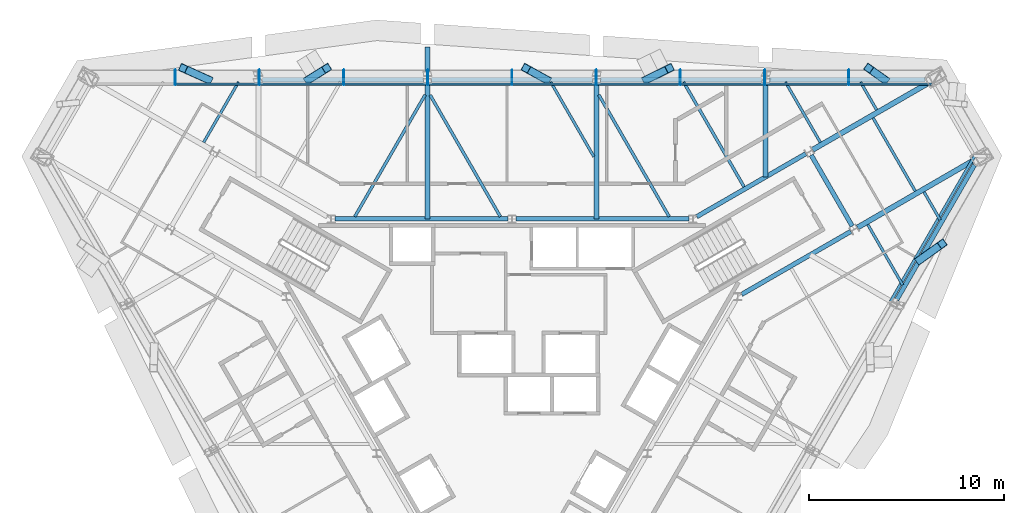
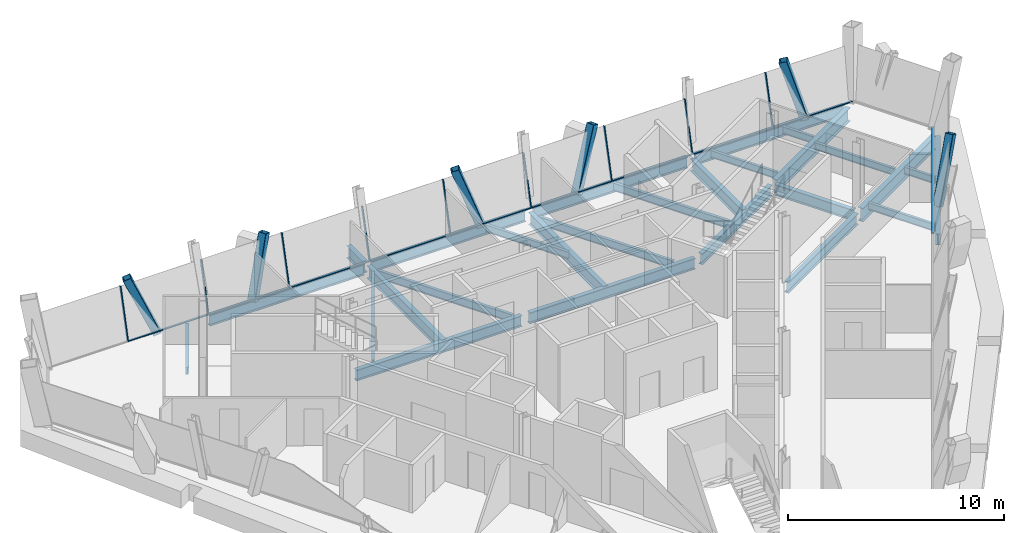
# One storey, part 4 of 10: 27 beams, 25 members, 2 elements without a shape of their own.
"""IFC4 building model written with IfcOpenShell, lengths in metres."""

from ifc_helpers import new_model, si_unit, direction, frame, origin, origin_2d, place, context, subcontext, project, spatial, rectangle, hollow_rectangle, i_section, extrude, material, material_profile, profile_set, type_object, element, aggregate, save


model = new_model("IFC4")

# Units and contexts
model_context = context("Model", 3, precision=1e-05, world=origin(), true_north=direction((0.0, 1.0)))
body_context = subcontext(model_context, "Body", "Model", "MODEL_VIEW")
ifc_project = project(units=[si_unit("LENGTHUNIT", "METRE"), si_unit("AREAUNIT", "SQUARE_METRE"), si_unit("VOLUMEUNIT", "CUBIC_METRE"), si_unit("PLANEANGLEUNIT", "RADIAN"), si_unit("MASSUNIT", "GRAM", prefix="KILO")], contexts=[model_context])

# Site, building, storey
site_placement = place(None, origin())
site = spatial("IfcSite", under=ifc_project, at=site_placement, CompositionType="ELEMENT")
building_placement = place(site_placement, origin())
building = spatial("IfcBuilding", under=site, at=building_placement, Name="Verrane Prism Tower", CompositionType="ELEMENT")
storey_placement = place(building_placement, frame((0.0, 0.0, 213.800048828125)))
storey = spatial("IfcBuildingStorey", under=building, at=storey_placement, Name="L53", CompositionType="ELEMENT", Elevation=213.800048828125)

# Beams
ifc_material_1 = material(Name="Steel A992", Category="steel")
ifc_material_profile_1 = material_profile(ifc_material_1, i_section(OverallWidth=0.23046875, OverallDepth=0.6171875, WebThickness=0.01318359375, FlangeThickness=0.022216796875, FilletRadius=0.012939453125, at=origin_2d()), Name="W24x94")
ifc_profile_set_1 = profile_set([ifc_material_profile_1], Name="Steel A992")
beam_type_1 = type_object("IfcBeamType", Name="Core ring girder W24x94", PredefinedType="BEAM", material=ifc_profile_set_1)
beam_1_placement = place(storey_placement, frame((11.759521484375, 4.135009765625, -0.55859375), z_axis=(0.866080992722, 0.499903704773, 0.0), x_axis=(-0.499903704773, 0.866080992722, 0.0)))
element("IfcBeam", 1, at=beam_1_placement, inside=storey, type_object=beam_type_1, Name="Core ring girder L53", PredefinedType="BEAM", context=body_context, shape_type="SweptSolid", body=[
    extrude(i_section(OverallWidth=0.23046875, OverallDepth=0.6171875, WebThickness=0.01318359375, FlangeThickness=0.022216796875, FilletRadius=0.012939453125, at=origin_2d()), origin(), (0.0, 0.0, 1.0), 6.451904296875),
])
beam_2_placement = place(storey_placement, frame((17.419677734375, 7.6337890625, -0.55859375), z_axis=(-0.500375511519, 0.865808493532, 0.0), x_axis=(-0.865808493532, -0.500375511519, 0.0)))
element("IfcBeam", 2, at=beam_2_placement, inside=storey, type_object=beam_type_1, Name="Core ring girder L53", PredefinedType="BEAM", context=body_context, shape_type="SweptSolid", body=[
    extrude(i_section(OverallWidth=0.23046875, OverallDepth=0.6171875, WebThickness=0.01318359375, FlangeThickness=0.022216796875, FilletRadius=0.012939453125, at=origin_2d()), origin(), (0.0, 0.0, 1.0), 4.195556640625),
])
beam_3_placement = place(storey_placement, frame((15.04736328125, 11.34033203125, -0.55859375), z_axis=(-0.866080992722, -0.499903704773, 0.0), x_axis=(0.499903704773, -0.866080992722, 0.0)))
element("IfcBeam", 3, at=beam_3_placement, inside=storey, type_object=beam_type_1, Name="Core ring girder L53", PredefinedType="BEAM", context=body_context, shape_type="SweptSolid", body=[
    extrude(i_section(OverallWidth=0.23046875, OverallDepth=0.6171875, WebThickness=0.01318359375, FlangeThickness=0.022216796875, FilletRadius=0.012939453125, at=origin_2d()), origin(), (0.0, 0.0, 1.0), 6.451904296875),
])
for number, where, z_axis, x_axis, name in (
    (4, (9.060546875, 8.0, -0.55859375), (-1.0, 0.0, 0.0), (0.0, -1.0, 0.0), "Core ring girder L53"),
    (5, (-0.199462890625, 8.0, -0.55859375), (-1.0, 0.0, 0.0), (0.0, -1.0, 0.0), "Core ring girder L53"),
):
    element("IfcBeam", number, at=place(storey_placement, frame(where, z_axis=z_axis, x_axis=x_axis)), inside=storey, type_object=beam_type_1, Name=name, PredefinedType="BEAM", context=body_context, shape_type="SweptSolid", body=[
        extrude(i_section(OverallWidth=0.23046875, OverallDepth=0.6171875, WebThickness=0.01318359375, FlangeThickness=0.022216796875, FilletRadius=0.012939453125, at=origin_2d()), origin(), (0.0, 0.0, 1.0), 8.861083984375),
    ])
ifc_material_2 = material(Name="Steel A992", Category="steel")
ifc_material_profile_2 = material_profile(ifc_material_2, i_section(OverallWidth=0.2666015625, OverallDepth=0.76708984375, WebThickness=0.014892578125, FlangeThickness=0.023681640625, FilletRadius=0.0166015625, at=origin_2d()), Name="W30x124")
ifc_profile_set_2 = profile_set([ifc_material_profile_2], Name="Steel A992")
beam_type_2 = type_object("IfcBeamType", Name="Corner girder W30x124", PredefinedType="BEAM", material=ifc_profile_set_2)
beam_4_placement = place(storey_placement, frame((23.563720703125, 10.959716796875, -0.603515625), z_axis=(-0.865372078644, -0.501129888855, 0.0), x_axis=(0.501129888855, -0.865372078644, 0.0)))
element("IfcBeam", 6, at=beam_4_placement, inside=storey, type_object=beam_type_2, Name="Corner girder L53", PredefinedType="BEAM", context=body_context, shape_type="SweptSolid", body=[
    extrude(i_section(OverallWidth=0.2666015625, OverallDepth=0.76708984375, WebThickness=0.014892578125, FlangeThickness=0.023681640625, FilletRadius=0.0166015625, at=origin_2d()), origin(), (0.0, 0.0, 1.0), 6.784423828125),
])
beam_5_placement = place(storey_placement, frame((21.2734375, 14.93017578125, -0.603515625), z_axis=(-0.866324462832, -0.499481656419, 0.0), x_axis=(0.499481656419, -0.866324462832, 0.0)))
element("IfcBeam", 7, at=beam_5_placement, inside=storey, type_object=beam_type_2, Name="Corner girder L53", PredefinedType="BEAM", context=body_context, shape_type="SweptSolid", body=[
    extrude(i_section(OverallWidth=0.2666015625, OverallDepth=0.76708984375, WebThickness=0.014892578125, FlangeThickness=0.023681640625, FilletRadius=0.0166015625, at=origin_2d()), origin(), (0.0, 0.0, 1.0), 6.788330078125),
])

# Members
ifc_material_3 = material(Name="Steel A500 Grade C", Category="steel")
ifc_material_profile_3 = material_profile(ifc_material_3, hollow_rectangle(XDim=0.406494140625, YDim=0.406494140625, WallThickness=0.01904296875, InnerFilletRadius=0.009521484375, OuterFilletRadius=0.028564453125, at=origin_2d()), Name="HSS16x16x3/4")
ifc_profile_set_3 = profile_set([ifc_material_profile_3], Name="Steel A500 Grade C")
member_type_1 = type_object("IfcMemberType", Name="Facade brace HSS16x16x3/4", PredefinedType="BRACE", material=ifc_profile_set_3)
member_1_placement = place(storey_placement, frame((19.083984375, 15.1298828125, -0.216796875), z_axis=(-0.245049870141, 0.174463269616, 0.953683977373), x_axis=(-0.579977600998, -0.814632421611, 0.0)))
element("IfcMember", 8, at=member_1_placement, inside=storey, type_object=member_type_1, Name="Facade brace N0 L53", PredefinedType="BRACE", context=body_context, shape_type="SweptSolid", body=[
    extrude(hollow_rectangle(XDim=0.406494140625, YDim=0.406494140625, WallThickness=0.01904296875, InnerFilletRadius=0.009521484375, OuterFilletRadius=0.028564453125, at=origin_2d()), origin(), (0.0, 0.0, 1.0), 3.3515625),
])
member_2_placement = place(storey_placement, frame((6.884521484375, 15.1298828125, -0.216796875), z_axis=(0.341822132388, 0.169110515817, 0.924423746585), x_axis=(-0.443432562368, 0.896307738799, 0.0)))
element("IfcMember", 9, at=member_2_placement, inside=storey, type_object=member_type_1, Name="Facade brace N1 L53", PredefinedType="BRACE", context=body_context, shape_type="SweptSolid", body=[
    extrude(hollow_rectangle(XDim=0.406494140625, YDim=0.406494140625, WallThickness=0.01904296875, InnerFilletRadius=0.009521484375, OuterFilletRadius=0.028564453125, at=origin_2d()), origin(), (0.0, 0.0, 1.0), 3.45751953125),
])
member_3_placement = place(storey_placement, frame((1.76806640625, 15.1298828125, -0.216796875), z_axis=(-0.309311568454, 0.171125249815, 0.935437064958), x_axis=(-0.484097606729, -0.875014003979, 0.0)))
element("IfcMember", 10, at=member_3_placement, inside=storey, type_object=member_type_1, Name="Facade brace N2 L53", PredefinedType="BRACE", context=body_context, shape_type="SweptSolid", body=[
    extrude(hollow_rectangle(XDim=0.406494140625, YDim=0.406494140625, WallThickness=0.01904296875, InnerFilletRadius=0.009521484375, OuterFilletRadius=0.028564453125, at=origin_2d()), origin(), (0.0, 0.0, 1.0), 3.4169921875),
])
member_4_placement = place(storey_placement, frame((-10.4248046875, 15.1298828125, -0.216796875), z_axis=(0.276946658231, 0.172911169568, 0.945199595817), x_axis=(-0.529601348441, 0.848246669153, 0.0)))
element("IfcMember", 11, at=member_4_placement, inside=storey, type_object=member_type_1, Name="Facade brace N3 L53", PredefinedType="BRACE", context=body_context, shape_type="SweptSolid", body=[
    extrude(hollow_rectangle(XDim=0.406494140625, YDim=0.406494140625, WallThickness=0.01904296875, InnerFilletRadius=0.009521484375, OuterFilletRadius=0.028564453125, at=origin_2d()), origin(), (0.0, 0.0, 1.0), 3.381591796875),
])
member_5_placement = place(storey_placement, frame((-15.543701171875, 15.1298828125, -0.216796875), z_axis=(-0.370806784779, 0.167121236271, 0.913549572135), x_axis=(-0.410892493582, -0.911683804133, 0.0)))
element("IfcMember", 12, at=member_5_placement, inside=storey, type_object=member_type_1, Name="Facade brace N4 L53", PredefinedType="BRACE", context=body_context, shape_type="SweptSolid", body=[
    extrude(hollow_rectangle(XDim=0.406494140625, YDim=0.406494140625, WallThickness=0.01904296875, InnerFilletRadius=0.009521484375, OuterFilletRadius=0.028564453125, at=origin_2d()), origin(), (0.0, 0.0, 1.0), 3.498779296875),
])
member_6_placement = place(storey_placement, frame((20.875244140625, 5.898193359375, -0.216796875), z_axis=(0.329854618194, 0.23637835708, 0.913959081776), x_axis=(-0.582490527384, 0.812837490221, 0.0)))
element("IfcMember", 13, at=member_6_placement, inside=storey, type_object=member_type_1, Name="Facade brace SE4 L53", PredefinedType="BRACE", context=body_context, shape_type="SweptSolid", body=[
    extrude(hollow_rectangle(XDim=0.406494140625, YDim=0.406494140625, WallThickness=0.01904296875, InnerFilletRadius=0.009521484375, OuterFilletRadius=0.028564453125, at=origin_2d()), origin(), (0.0, 0.0, 1.0), 3.4970703125),
])

# Beams
ifc_material_4 = material(Name="Steel A992", Category="steel")
ifc_material_profile_4 = material_profile(ifc_material_4, i_section(OverallWidth=0.140380859375, OverallDepth=0.40380859375, WebThickness=0.007080078125, FlangeThickness=0.01123046875, FilletRadius=0.01025390625, at=origin_2d()), Name="W16x31")
ifc_profile_set_4 = profile_set([ifc_material_profile_4], Name="Steel A992")
beam_type_3 = type_object("IfcBeamType", Name="Floor beam W16x31", PredefinedType="BEAM", material=ifc_profile_set_4)
beam_6_placement = place(storey_placement, frame((18.66943359375, 13.5830078125, -0.362060546875), z_axis=(-0.499982354831, 0.866035590988, 0.0), x_axis=(-0.866035590988, -0.499982354831, 0.0)))
element("IfcBeam", 14, at=beam_6_placement, inside=storey, type_object=beam_type_3, Name="Floor beam L53", PredefinedType="BEAM", context=body_context, shape_type="SweptSolid", body=[
    extrude(i_section(OverallWidth=0.140380859375, OverallDepth=0.40380859375, WebThickness=0.007080078125, FlangeThickness=0.01123046875, FilletRadius=0.01025390625, at=origin_2d()), origin(), (0.0, 0.0, 1.0), 1.6533203125),
])
beam_7_placement = place(storey_placement, frame((15.785888671875, 11.92041015625, -0.362060546875), z_axis=(-0.500055614084, 0.865993292597, 0.0), x_axis=(-0.865993292597, -0.500055614084, 0.0)))
element("IfcBeam", 15, at=beam_7_placement, inside=storey, type_object=beam_type_3, Name="Floor beam L53", PredefinedType="BEAM", context=body_context, shape_type="SweptSolid", body=[
    extrude(i_section(OverallWidth=0.140380859375, OverallDepth=0.40380859375, WebThickness=0.007080078125, FlangeThickness=0.01123046875, FilletRadius=0.01025390625, at=origin_2d()), origin(), (0.0, 0.0, 1.0), 3.5732421875),
])
beam_8_placement = place(storey_placement, frame((4.193115234375, 11.18505859375, -0.362060546875), z_axis=(-0.500045805297, 0.865998956469, 0.0), x_axis=(-0.865998956469, -0.500045805297, 0.0)))
element("IfcBeam", 16, at=beam_8_placement, inside=storey, type_object=beam_type_3, Name="Floor beam L53", PredefinedType="BEAM", context=body_context, shape_type="SweptSolid", body=[
    extrude(i_section(OverallWidth=0.140380859375, OverallDepth=0.40380859375, WebThickness=0.007080078125, FlangeThickness=0.01123046875, FilletRadius=0.01025390625, at=origin_2d()), origin(), (0.0, 0.0, 1.0), 4.42236328125),
])
beam_9_placement = place(storey_placement, frame((-15.785888671875, 11.92041015625, -0.362060546875), z_axis=(0.500055614084, 0.865993292597, 0.0), x_axis=(-0.865993292597, 0.500055614084, 0.0)))
element("IfcBeam", 17, at=beam_9_placement, inside=storey, type_object=beam_type_3, Name="Floor beam L53", PredefinedType="BEAM", context=body_context, shape_type="SweptSolid", body=[
    extrude(i_section(OverallWidth=0.140380859375, OverallDepth=0.40380859375, WebThickness=0.007080078125, FlangeThickness=0.01123046875, FilletRadius=0.01025390625, at=origin_2d()), origin(), (0.0, 0.0, 1.0), 3.5732421875),
])
beam_10_placement = place(storey_placement, frame((21.92333984375, 7.94580078125, -0.362060546875), z_axis=(-0.499952654668, 0.866052736899, 0.0), x_axis=(-0.866052736899, -0.499952654668, 0.0)))
element("IfcBeam", 18, at=beam_10_placement, inside=storey, type_object=beam_type_3, Name="Floor beam L53", PredefinedType="BEAM", context=body_context, shape_type="SweptSolid", body=[
    extrude(i_section(OverallWidth=0.140380859375, OverallDepth=0.40380859375, WebThickness=0.007080078125, FlangeThickness=0.01123046875, FilletRadius=0.01025390625, at=origin_2d()), origin(), (0.0, 0.0, 1.0), 1.652587890625),
])
beam_11_placement = place(storey_placement, frame((20.00341796875, 4.61669921875, -0.362060546875), z_axis=(-0.500028168084, 0.866009140323, 0.0), x_axis=(-0.866009140323, -0.500028168084, 0.0)))
element("IfcBeam", 19, at=beam_11_placement, inside=storey, type_object=beam_type_3, Name="Floor beam L53", PredefinedType="BEAM", context=body_context, shape_type="SweptSolid", body=[
    extrude(i_section(OverallWidth=0.140380859375, OverallDepth=0.40380859375, WebThickness=0.007080078125, FlangeThickness=0.01123046875, FilletRadius=0.01025390625, at=origin_2d()), origin(), (0.0, 0.0, 1.0), 3.571533203125),
])
beam_12_placement = place(storey_placement, frame((20.648193359375, 9.425537109375, -0.362060546875), z_axis=(-0.499971774539, 0.866041699148, 0.0), x_axis=(-0.866041699148, -0.499971774539, 0.0)))
element("IfcBeam", 20, at=beam_12_placement, inside=storey, type_object=beam_type_3, Name="Floor beam L53", PredefinedType="BEAM", context=body_context, shape_type="SweptSolid", body=[
    extrude(i_section(OverallWidth=0.140380859375, OverallDepth=0.40380859375, WebThickness=0.007080078125, FlangeThickness=0.01123046875, FilletRadius=0.01025390625, at=origin_2d()), origin(), (0.0, 0.0, 1.0), 4.322998046875),
])
ifc_material_5 = material(Name="Steel A992", Category="steel")
ifc_material_profile_5 = material_profile(ifc_material_5, i_section(OverallWidth=0.15234375, OverallDepth=0.449462890625, WebThickness=0.007568359375, FlangeThickness=0.0107421875, FilletRadius=0.01025390625, at=origin_2d()), Name="W18x35")
ifc_profile_set_5 = profile_set([ifc_material_profile_5], Name="Steel A992")
beam_type_4 = type_object("IfcBeamType", Name="Floor beam W18x35", PredefinedType="BEAM", material=ifc_profile_set_5)
beam_13_placement = place(storey_placement, frame((11.88134765625, 9.644775390625, -0.384765625), z_axis=(-0.499988291006, 0.866032163869, 0.0), x_axis=(-0.866032163869, -0.499988291006, 0.0)))
element("IfcBeam", 21, at=beam_13_placement, inside=storey, type_object=beam_type_4, Name="Floor beam L53", PredefinedType="BEAM", context=body_context, shape_type="SweptSolid", body=[
    extrude(i_section(OverallWidth=0.15234375, OverallDepth=0.449462890625, WebThickness=0.007568359375, FlangeThickness=0.0107421875, FilletRadius=0.01025390625, at=origin_2d()), origin(), (0.0, 0.0, 1.0), 6.200927734375),
])
beam_14_placement = place(storey_placement, frame((8.047119140625, 8.114990234375, -0.384765625), z_axis=(-0.499982693035, 0.866035395735, 0.0), x_axis=(-0.866035395735, -0.499982693035, 0.0)))
element("IfcBeam", 22, at=beam_14_placement, inside=storey, type_object=beam_type_4, Name="Floor beam L53", PredefinedType="BEAM", context=body_context, shape_type="SweptSolid", body=[
    extrude(i_section(OverallWidth=0.15234375, OverallDepth=0.449462890625, WebThickness=0.007568359375, FlangeThickness=0.0107421875, FilletRadius=0.01025390625, at=origin_2d()), origin(), (0.0, 0.0, 1.0), 7.200439453125),
])
beam_15_placement = place(storey_placement, frame((-0.59619140625, 8.114990234375, -0.384765625), z_axis=(-0.500004475467, 0.866022819857, 0.0), x_axis=(-0.866022819857, -0.500004475467, 0.0)))
element("IfcBeam", 23, at=beam_15_placement, inside=storey, type_object=beam_type_4, Name="Floor beam L53", PredefinedType="BEAM", context=body_context, shape_type="SweptSolid", body=[
    extrude(i_section(OverallWidth=0.15234375, OverallDepth=0.449462890625, WebThickness=0.007568359375, FlangeThickness=0.0107421875, FilletRadius=0.01025390625, at=origin_2d()), origin(), (0.0, 0.0, 1.0), 7.19384765625),
])
beam_16_placement = place(storey_placement, frame((-8.047119140625, 8.114990234375, -0.384765625), z_axis=(0.499982693035, 0.866035395735, 0.0), x_axis=(-0.866035395735, 0.499982693035, 0.0)))
element("IfcBeam", 24, at=beam_16_placement, inside=storey, type_object=beam_type_4, Name="Floor beam L53", PredefinedType="BEAM", context=body_context, shape_type="SweptSolid", body=[
    extrude(i_section(OverallWidth=0.15234375, OverallDepth=0.449462890625, WebThickness=0.007568359375, FlangeThickness=0.0107421875, FilletRadius=0.01025390625, at=origin_2d()), origin(), (0.0, 0.0, 1.0), 7.200439453125),
])

# Curtain wall, members
ifc_material_6 = material(Name="Aluminium framed insulated glazing", Category="aluminium")
curtain_wall_type_1 = type_object("IfcCurtainWallType", Name="Curtain wall CW-C 4200 module", PredefinedType="NOTDEFINED", material=ifc_material_6)
curtain_wall_1_placement = place(storey_placement, origin())
curtain_wall_1 = element("IfcCurtainWall", 25, at=curtain_wall_1_placement, inside=storey, type_object=curtain_wall_type_1, Name="Glazed curtain wall north face L53", PredefinedType="NOTDEFINED")
ifc_material_7 = material(Name="Aluminium alloy 6063-T6", Category="aluminium")
ifc_material_profile_6 = material_profile(ifc_material_7, rectangle(XDim=0.139892578125, YDim=0.050048828125, at=origin_2d()), Name="Mullion 50x140 aluminium")
ifc_profile_set_6 = profile_set([ifc_material_profile_6], Name="Aluminium alloy 6063-T6")
member_type_2 = type_object("IfcMemberType", Name="Mullion 50x140 aluminium", PredefinedType="MULLION", material=ifc_profile_set_6)
member_7_placement = place(storey_placement, frame((17.24072265625, 14.90185546875, 0.0), z_axis=(0.0, 0.249827945556, 0.968290244513), x_axis=(0.0, 0.968290244513, -0.249827945556)))
member_7 = element("IfcMember", 26, at=member_7_placement, type_object=member_type_2, Name="CW51.2 mullion 2", PredefinedType="MULLION", context=body_context, shape_type="SweptSolid", body=[
    extrude(rectangle(XDim=0.139892578125, YDim=0.050048828125, at=origin_2d()), origin(), (0.0, 0.0, 1.0), 2.8017578125),
])
member_8_placement = place(storey_placement, frame((12.930419921875, 14.90185546875, 0.0), z_axis=(0.0, 0.249827945556, 0.968290244513), x_axis=(0.0, 0.968290244513, -0.249827945556)))
member_8 = element("IfcMember", 27, at=member_8_placement, type_object=member_type_2, Name="CW51.2 mullion 3", PredefinedType="MULLION", context=body_context, shape_type="SweptSolid", body=[
    extrude(rectangle(XDim=0.139892578125, YDim=0.050048828125, at=origin_2d()), origin(), (0.0, 0.0, 1.0), 2.8017578125),
])
member_9_placement = place(storey_placement, frame((8.620361328125, 14.90185546875, 0.0), z_axis=(0.0, 0.249827945556, 0.968290244513), x_axis=(0.0, 0.968290244513, -0.249827945556)))
member_9 = element("IfcMember", 28, at=member_9_placement, type_object=member_type_2, Name="CW51.2 mullion 4", PredefinedType="MULLION", context=body_context, shape_type="SweptSolid", body=[
    extrude(rectangle(XDim=0.139892578125, YDim=0.050048828125, at=origin_2d()), origin(), (0.0, 0.0, 1.0), 2.8017578125),
])
member_10_placement = place(storey_placement, frame((4.31005859375, 14.90185546875, 0.0), z_axis=(0.0, 0.249827945556, 0.968290244513), x_axis=(0.0, 0.968290244513, -0.249827945556)))
member_10 = element("IfcMember", 29, at=member_10_placement, type_object=member_type_2, Name="CW51.2 mullion 5", PredefinedType="MULLION", context=body_context, shape_type="SweptSolid", body=[
    extrude(rectangle(XDim=0.139892578125, YDim=0.050048828125, at=origin_2d()), origin(), (0.0, 0.0, 1.0), 2.8017578125),
])
member_11_placement = place(storey_placement, frame((0.0, 14.90185546875, 0.0), z_axis=(0.0, 0.249827945556, 0.968290244513), x_axis=(0.0, 0.968290244513, -0.249827945556)))
member_11 = element("IfcMember", 30, at=member_11_placement, type_object=member_type_2, Name="CW51.2 mullion 6", PredefinedType="MULLION", context=body_context, shape_type="SweptSolid", body=[
    extrude(rectangle(XDim=0.139892578125, YDim=0.050048828125, at=origin_2d()), origin(), (0.0, 0.0, 1.0), 2.8017578125),
])
member_12_placement = place(storey_placement, frame((-4.31005859375, 14.90185546875, 0.0), z_axis=(0.0, 0.249827945556, 0.968290244513), x_axis=(0.0, 0.968290244513, -0.249827945556)))
member_12 = element("IfcMember", 31, at=member_12_placement, type_object=member_type_2, Name="CW51.2 mullion 7", PredefinedType="MULLION", context=body_context, shape_type="SweptSolid", body=[
    extrude(rectangle(XDim=0.139892578125, YDim=0.050048828125, at=origin_2d()), origin(), (0.0, 0.0, 1.0), 2.8017578125),
])
member_13_placement = place(storey_placement, frame((-8.620361328125, 14.90185546875, 0.0), z_axis=(0.0, 0.249827945556, 0.968290244513), x_axis=(0.0, 0.968290244513, -0.249827945556)))
member_13 = element("IfcMember", 32, at=member_13_placement, type_object=member_type_2, Name="CW51.2 mullion 8", PredefinedType="MULLION", context=body_context, shape_type="SweptSolid", body=[
    extrude(rectangle(XDim=0.139892578125, YDim=0.050048828125, at=origin_2d()), origin(), (0.0, 0.0, 1.0), 2.8017578125),
])
member_14_placement = place(storey_placement, frame((-12.930419921875, 14.90185546875, 0.0), z_axis=(0.0, 0.249827945556, 0.968290244513), x_axis=(0.0, 0.968290244513, -0.249827945556)))
member_14 = element("IfcMember", 33, at=member_14_placement, type_object=member_type_2, Name="CW51.2 mullion 9", PredefinedType="MULLION", context=body_context, shape_type="SweptSolid", body=[
    extrude(rectangle(XDim=0.139892578125, YDim=0.050048828125, at=origin_2d()), origin(), (0.0, 0.0, 1.0), 2.8017578125),
])
member_15_placement = place(storey_placement, frame((-17.24072265625, 14.90185546875, 0.0), z_axis=(0.0, 0.249827945556, 0.968290244513), x_axis=(0.0, 0.968290244513, -0.249827945556)))
member_15 = element("IfcMember", 34, at=member_15_placement, type_object=member_type_2, Name="CW51.2 mullion 10", PredefinedType="MULLION", context=body_context, shape_type="SweptSolid", body=[
    extrude(rectangle(XDim=0.139892578125, YDim=0.050048828125, at=origin_2d()), origin(), (0.0, 0.0, 1.0), 2.8017578125),
])

# Beams
ifc_material_8 = material(Name="Steel A992", Category="steel")
ifc_material_profile_7 = material_profile(ifc_material_8, i_section(OverallWidth=0.25390625, OverallDepth=0.683349609375, WebThickness=0.012451171875, FlangeThickness=0.01904296875, FilletRadius=0.01513671875, at=origin_2d()), Name="W27x94")
ifc_profile_set_7 = profile_set([ifc_material_profile_7], Name="Steel A992")
beam_type_5 = type_object("IfcBeamType", Name="Radial girder W27x94", PredefinedType="BEAM", material=ifc_profile_set_7)
beam_17_placement = place(storey_placement, frame((12.969970703125, 14.9306640625, -0.561767578125), z_axis=(0.0, -1.0, 0.0), x_axis=(1.0, 0.0, 0.0)))
element("IfcBeam", 35, at=beam_17_placement, inside=storey, type_object=beam_type_5, Name="Radial girder L53", PredefinedType="BEAM", context=body_context, shape_type="SweptSolid", body=[
    extrude(i_section(OverallWidth=0.25390625, OverallDepth=0.683349609375, WebThickness=0.012451171875, FlangeThickness=0.01904296875, FilletRadius=0.01513671875, at=origin_2d()), origin(), (0.0, 0.0, 1.0), 4.789306640625),
])
for number, where, z_axis, x_axis, name in (
    (36, (4.320068359375, 14.9306640625, -0.561767578125), (0.0, -1.0, 0.0), (1.0, 0.0, 0.0), "Radial girder L53"),
    (37, (-4.320068359375, 14.9306640625, -0.561767578125), (0.0, -1.0, 0.0), (1.0, 0.0, 0.0), "Radial girder L53"),
):
    element("IfcBeam", number, at=place(storey_placement, frame(where, z_axis=z_axis, x_axis=x_axis)), inside=storey, type_object=beam_type_5, Name=name, PredefinedType="BEAM", context=body_context, shape_type="SweptSolid", body=[
        extrude(i_section(OverallWidth=0.25390625, OverallDepth=0.683349609375, WebThickness=0.012451171875, FlangeThickness=0.01904296875, FilletRadius=0.01513671875, at=origin_2d()), origin(), (0.0, 0.0, 1.0), 6.9306640625),
    ])
beam_18_placement = place(storey_placement, frame((-4.320068359375, 15.325439453125, -0.561767578125), z_axis=(0.0, 1.0, 0.0), x_axis=(-1.0, 0.0, 0.0)))
element("IfcBeam", 38, at=beam_18_placement, inside=storey, type_object=beam_type_5, Name="Cantilever girder L53", PredefinedType="BEAM", context=body_context, shape_type="SweptSolid", body=[
    extrude(i_section(OverallWidth=0.25390625, OverallDepth=0.683349609375, WebThickness=0.012451171875, FlangeThickness=0.01904296875, FilletRadius=0.01513671875, at=origin_2d()), origin(), (0.0, 0.0, 1.0), 1.4873046875),
])
ifc_material_9 = material(Name="Steel A992", Category="steel")
ifc_material_profile_8 = material_profile(ifc_material_9, i_section(OverallWidth=0.23046875, OverallDepth=0.6171875, WebThickness=0.01318359375, FlangeThickness=0.022216796875, FilletRadius=0.012939453125, at=origin_2d()), Name="W24x94")
ifc_profile_set_8 = profile_set([ifc_material_profile_8], Name="Steel A992")
beam_type_6 = type_object("IfcBeamType", Name="Spandrel beam W24x94", PredefinedType="SPANDREL", material=ifc_profile_set_8)
beam_19_placement = place(storey_placement, frame((21.158203125, 15.1298828125, -0.46875), z_axis=(-1.0, 0.0, 0.0), x_axis=(0.0, -1.0, 0.0)))
element("IfcBeam", 39, at=beam_19_placement, inside=storey, type_object=beam_type_6, Name="Spandrel beam L53", PredefinedType="SPANDREL", context=body_context, shape_type="SweptSolid", body=[
    extrude(i_section(OverallWidth=0.23046875, OverallDepth=0.6171875, WebThickness=0.01318359375, FlangeThickness=0.022216796875, FilletRadius=0.012939453125, at=origin_2d()), origin(), (0.0, 0.0, 1.0), 7.987548828125),
])
beam_20_placement = place(storey_placement, frame((12.769287109375, 15.1298828125, -0.46875), z_axis=(-1.0, 0.0, 0.0), x_axis=(0.0, -1.0, 0.0)))
element("IfcBeam", 40, at=beam_20_placement, inside=storey, type_object=beam_type_6, Name="Spandrel beam L53", PredefinedType="SPANDREL", context=body_context, shape_type="SweptSolid", body=[
    extrude(i_section(OverallWidth=0.23046875, OverallDepth=0.6171875, WebThickness=0.01318359375, FlangeThickness=0.022216796875, FilletRadius=0.012939453125, at=origin_2d()), origin(), (0.0, 0.0, 1.0), 8.24853515625),
])
beam_21_placement = place(storey_placement, frame((4.119384765625, 15.1298828125, -0.46875), z_axis=(-1.0, 0.0, 0.0), x_axis=(0.0, -1.0, 0.0)))
element("IfcBeam", 41, at=beam_21_placement, inside=storey, type_object=beam_type_6, Name="Spandrel beam L53", PredefinedType="SPANDREL", context=body_context, shape_type="SweptSolid", body=[
    extrude(i_section(OverallWidth=0.23046875, OverallDepth=0.6171875, WebThickness=0.01318359375, FlangeThickness=0.022216796875, FilletRadius=0.012939453125, at=origin_2d()), origin(), (0.0, 0.0, 1.0), 8.23876953125),
])
beam_22_placement = place(storey_placement, frame((-4.520751953125, 15.1298828125, -0.46875), z_axis=(-1.0, 0.0, 0.0), x_axis=(0.0, -1.0, 0.0)))
element("IfcBeam", 42, at=beam_22_placement, inside=storey, type_object=beam_type_6, Name="Spandrel beam L53", PredefinedType="SPANDREL", context=body_context, shape_type="SweptSolid", body=[
    extrude(i_section(OverallWidth=0.23046875, OverallDepth=0.6171875, WebThickness=0.01318359375, FlangeThickness=0.022216796875, FilletRadius=0.012939453125, at=origin_2d()), origin(), (0.0, 0.0, 1.0), 8.24853515625),
])
beam_23_placement = place(storey_placement, frame((19.690185546875, 3.84375, -0.46875), z_axis=(0.499628915067, 0.866239543792, 0.0), x_axis=(-0.866239543792, 0.499628915067, 0.0)))
element("IfcBeam", 43, at=beam_23_placement, inside=storey, type_object=beam_type_6, Name="Spandrel beam L53", PredefinedType="SPANDREL", context=body_context, shape_type="SweptSolid", body=[
    extrude(i_section(OverallWidth=0.23046875, OverallDepth=0.6171875, WebThickness=0.01318359375, FlangeThickness=0.022216796875, FilletRadius=0.012939453125, at=origin_2d()), origin(), (0.0, 0.0, 1.0), 7.98388671875),
])

# Member
ifc_material_10 = material(Name="Aluminium alloy 6063-T6", Category="aluminium")
ifc_material_profile_9 = material_profile(ifc_material_10, rectangle(XDim=0.10009765625, YDim=0.050048828125, at=origin_2d()), Name="Transom 50x100 aluminium")
ifc_profile_set_9 = profile_set([ifc_material_profile_9], Name="Aluminium alloy 6063-T6")
member_type_3 = type_object("IfcMemberType", Name="Transom 50x100 aluminium", PredefinedType="USERDEFINED", material=ifc_profile_set_9)
member_16_placement = place(storey_placement, frame((21.500732421875, 14.90185546875, 0.02490234375), z_axis=(-1.0, 0.0, 0.0), x_axis=(0.0, -1.0, 0.0)))
member_16 = element("IfcMember", 44, at=member_16_placement, type_object=member_type_3, Name="CW51.2 transom 1", ObjectType="TRANSOM", PredefinedType="USERDEFINED", context=body_context, shape_type="SweptSolid", body=[
    extrude(rectangle(XDim=0.10009765625, YDim=0.050048828125, at=origin_2d()), origin(), (0.0, 0.0, 1.0), 4.235107421875),
])

member_17_placement = place(storey_placement, frame((17.215576171875, 14.90185546875, 0.02490234375), z_axis=(-1.0, 0.0, 0.0), x_axis=(0.0, -1.0, 0.0)))
member_17 = element("IfcMember", 45, at=member_17_placement, type_object=member_type_3, Name="CW51.2 transom 2", ObjectType="TRANSOM", PredefinedType="USERDEFINED", context=body_context, shape_type="SweptSolid", body=[
    extrude(rectangle(XDim=0.10009765625, YDim=0.050048828125, at=origin_2d()), origin(), (0.0, 0.0, 1.0), 4.260009765625),
])

member_18_placement = place(storey_placement, frame((12.905517578125, 14.90185546875, 0.02490234375), z_axis=(-1.0, 0.0, 0.0), x_axis=(0.0, -1.0, 0.0)))
member_18 = element("IfcMember", 46, at=member_18_placement, type_object=member_type_3, Name="CW51.2 transom 3", ObjectType="TRANSOM", PredefinedType="USERDEFINED", context=body_context, shape_type="SweptSolid", body=[
    extrude(rectangle(XDim=0.10009765625, YDim=0.050048828125, at=origin_2d()), origin(), (0.0, 0.0, 1.0), 4.26025390625),
])

member_19_placement = place(storey_placement, frame((8.59521484375, 14.90185546875, 0.02490234375), z_axis=(-1.0, 0.0, 0.0), x_axis=(0.0, -1.0, 0.0)))
member_19 = element("IfcMember", 47, at=member_19_placement, type_object=member_type_3, Name="CW51.2 transom 4", ObjectType="TRANSOM", PredefinedType="USERDEFINED", context=body_context, shape_type="SweptSolid", body=[
    extrude(rectangle(XDim=0.10009765625, YDim=0.050048828125, at=origin_2d()), origin(), (0.0, 0.0, 1.0), 4.260009765625),
])

member_20_placement = place(storey_placement, frame((4.28515625, 14.90185546875, 0.02490234375), z_axis=(-1.0, 0.0, 0.0), x_axis=(0.0, -1.0, 0.0)))
member_20 = element("IfcMember", 48, at=member_20_placement, type_object=member_type_3, Name="CW51.2 transom 5", ObjectType="TRANSOM", PredefinedType="USERDEFINED", context=body_context, shape_type="SweptSolid", body=[
    extrude(rectangle(XDim=0.10009765625, YDim=0.050048828125, at=origin_2d()), origin(), (0.0, 0.0, 1.0), 4.26025390625),
])

member_21_placement = place(storey_placement, frame((-0.02490234375, 14.90185546875, 0.02490234375), z_axis=(-1.0, 0.0, 0.0), x_axis=(0.0, -1.0, 0.0)))
member_21 = element("IfcMember", 49, at=member_21_placement, type_object=member_type_3, Name="CW51.2 transom 6", ObjectType="TRANSOM", PredefinedType="USERDEFINED", context=body_context, shape_type="SweptSolid", body=[
    extrude(rectangle(XDim=0.10009765625, YDim=0.050048828125, at=origin_2d()), origin(), (0.0, 0.0, 1.0), 4.26025390625),
])

member_22_placement = place(storey_placement, frame((-4.335205078125, 14.90185546875, 0.02490234375), z_axis=(-1.0, 0.0, 0.0), x_axis=(0.0, -1.0, 0.0)))
member_22 = element("IfcMember", 50, at=member_22_placement, type_object=member_type_3, Name="CW51.2 transom 7", ObjectType="TRANSOM", PredefinedType="USERDEFINED", context=body_context, shape_type="SweptSolid", body=[
    extrude(rectangle(XDim=0.10009765625, YDim=0.050048828125, at=origin_2d()), origin(), (0.0, 0.0, 1.0), 4.260009765625),
])

member_23_placement = place(storey_placement, frame((-8.645263671875, 14.90185546875, 0.02490234375), z_axis=(-1.0, 0.0, 0.0), x_axis=(0.0, -1.0, 0.0)))
member_23 = element("IfcMember", 51, at=member_23_placement, type_object=member_type_3, Name="CW51.2 transom 8", ObjectType="TRANSOM", PredefinedType="USERDEFINED", context=body_context, shape_type="SweptSolid", body=[
    extrude(rectangle(XDim=0.10009765625, YDim=0.050048828125, at=origin_2d()), origin(), (0.0, 0.0, 1.0), 4.26025390625),
])

member_24_placement = place(storey_placement, frame((-12.95556640625, 14.90185546875, 0.02490234375), z_axis=(-1.0, 0.0, 0.0), x_axis=(0.0, -1.0, 0.0)))
member_24 = element("IfcMember", 52, at=member_24_placement, type_object=member_type_3, Name="CW51.2 transom 9", ObjectType="TRANSOM", PredefinedType="USERDEFINED", context=body_context, shape_type="SweptSolid", body=[
    extrude(rectangle(XDim=0.10009765625, YDim=0.050048828125, at=origin_2d()), origin(), (0.0, 0.0, 1.0), 4.260009765625),
])

aggregate(curtain_wall_1, [member_7, member_8, member_9, member_10, member_11, member_12, member_13, member_14, member_15, member_16, member_17, member_18, member_19, member_20, member_21, member_22, member_23, member_24])

# Curtain wall, member
ifc_material_11 = material(Name="Aluminium framed insulated glazing", Category="aluminium")
curtain_wall_type_2 = type_object("IfcCurtainWallType", Name="Curtain wall CW-A 8400 module", PredefinedType="NOTDEFINED", material=ifc_material_11)
curtain_wall_2_placement = place(storey_placement, origin())
curtain_wall_2 = element("IfcCurtainWall", 53, at=curtain_wall_2_placement, inside=storey, type_object=curtain_wall_type_2, Name="Glazed curtain wall south-east face L53", PredefinedType="NOTDEFINED")
ifc_material_12 = material(Name="Aluminium alloy 6063-T6", Category="aluminium")
ifc_material_profile_10 = material_profile(ifc_material_12, rectangle(XDim=0.14990234375, YDim=0.070068359375, at=origin_2d()), Name="Transom 70x150 aluminium")
ifc_profile_set_10 = profile_set([ifc_material_profile_10], Name="Aluminium alloy 6063-T6")
member_type_4 = type_object("IfcMemberType", Name="Transom 70x150 aluminium", PredefinedType="USERDEFINED", material=ifc_profile_set_10)
member_25_placement = place(storey_placement, frame((19.387939453125, 3.777587890625, 0.034912109375), z_axis=(0.500007995801, 0.866020787358, 0.0), x_axis=(-0.866020787358, 0.500007995801, 0.0)))
member_25 = element("IfcMember", 54, at=member_25_placement, type_object=member_type_4, Name="CW51.6 transom 5", ObjectType="TRANSOM", PredefinedType="USERDEFINED", context=body_context, shape_type="SweptSolid", body=[
    extrude(rectangle(XDim=0.14990234375, YDim=0.070068359375, at=origin_2d()), origin(), (0.0, 0.0, 1.0), 8.585205078125),
])
aggregate(curtain_wall_2, [member_25])

save(model, "model.ifc")
